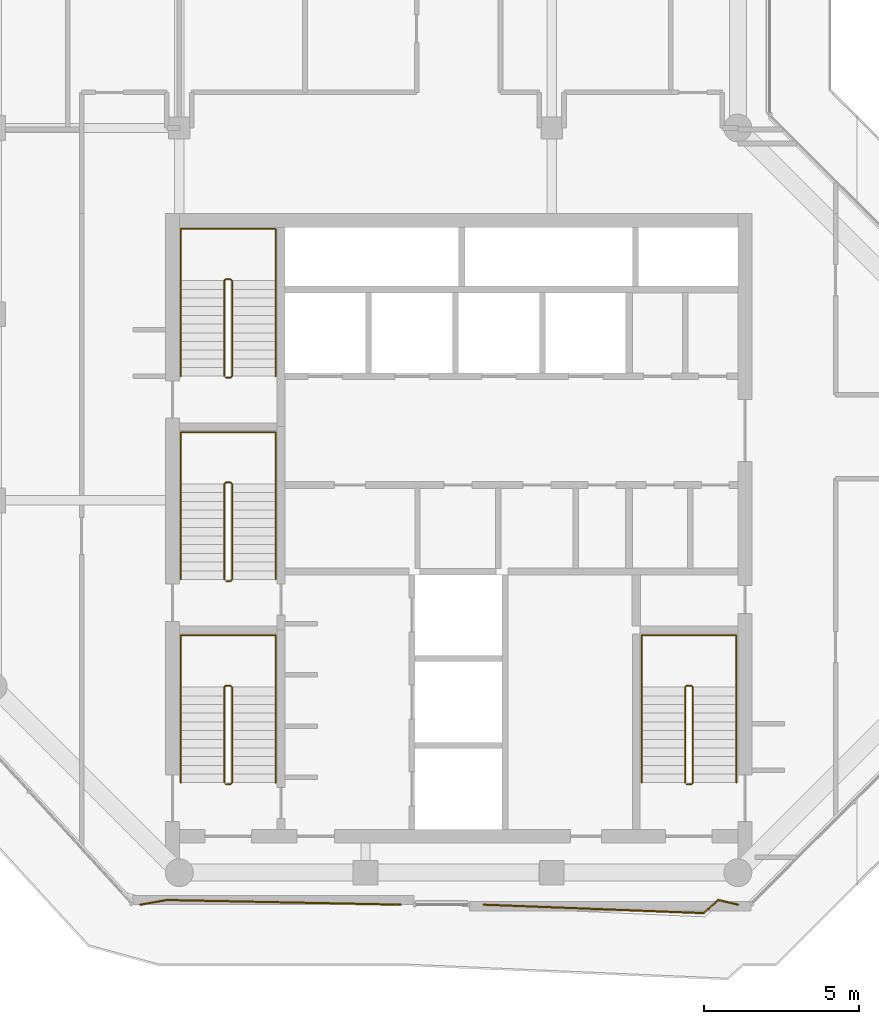
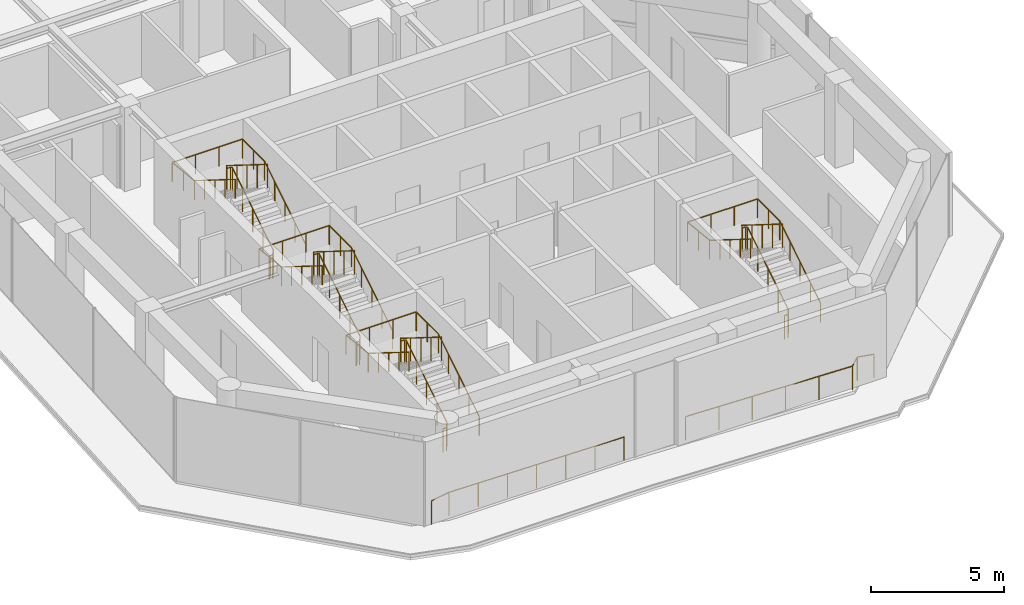
# One storey, part 19 of 20: 10 railings.
"""IFC4 building model written with IfcOpenShell, lengths in metres."""

from ifc_helpers import new_model, si_unit, direction, frame, origin, origin_2d, place, context, subcontext, project, spatial, circle, extrude, material, type_object, element, save


model = new_model("IFC4")

# Units and contexts
model_context = context("Model", 3, precision=1e-05, world=origin(), true_north=direction((0.0, 1.0)))
body_context = subcontext(model_context, "Body", "Model", "MODEL_VIEW")
ifc_project = project(units=[si_unit("LENGTHUNIT", "METRE"), si_unit("AREAUNIT", "SQUARE_METRE"), si_unit("VOLUMEUNIT", "CUBIC_METRE"), si_unit("PLANEANGLEUNIT", "RADIAN"), si_unit("MASSUNIT", "GRAM", prefix="KILO")], contexts=[model_context])

# Site, building, storey
site_placement = place(None, origin())
site = spatial("IfcSite", under=ifc_project, at=site_placement, CompositionType="ELEMENT")
building_placement = place(site_placement, origin())
building = spatial("IfcBuilding", under=site, at=building_placement, Name="Welwitschia Terrace Campus", CompositionType="ELEMENT")
storey_placement = place(building_placement, frame((0.0, 0.0, 239.0)))
storey = spatial("IfcBuildingStorey", under=building, at=storey_placement, Name="L53", CompositionType="ELEMENT", Elevation=239.0)

# Railings
ifc_material_1 = material(Name="Stainless steel grade 316", Category="steel")
railing_type_1 = type_object("IfcRailingType", Name="Guard 1100", PredefinedType="GUARDRAIL", material=ifc_material_1)
railing_1_placement = place(storey_placement, frame((13.1337890625, 2.969970703125, 0.0)))
element("IfcRailing", 1, at=railing_1_placement, inside=storey, type_object=railing_type_1, Name="Guard floor edge L53.0", PredefinedType="GUARDRAIL", context=body_context, shape_type="SweptSolid", body=[
    extrude(circle(Radius=0.02392578125, at=origin_2d()), frame((0.0, 0.0, 1.076171875), z_axis=(-0.999801353701, 0.019931210131, 0.0), x_axis=(-0.019931210131, -0.999801353701, 0.0)), (0.0, 0.0, 1.0), 7.533203125),
    extrude(circle(Radius=0.02392578125, at=origin_2d()), frame((-7.53173828125, 0.150146484375, 1.076171875), z_axis=(-0.984961218681, -0.172775570305, 0.0), x_axis=(0.172775570305, -0.984961218681, 0.0)), (0.0, 0.0, 1.0), 0.869140625),
    extrude(circle(Radius=0.02099609375, at=origin_2d()), origin(), (0.0, 0.0, 1.0), 1.052001953125),
    extrude(circle(Radius=0.02099609375, at=origin_2d()), frame((-1.25537109375, 0.02490234375, 0.0)), (0.0, 0.0, 1.0), 1.052001953125),
    extrude(circle(Radius=0.02099609375, at=origin_2d()), frame((-2.510498046875, 0.050048828125, 0.0)), (0.0, 0.0, 1.0), 1.052001953125),
    extrude(circle(Radius=0.02099609375, at=origin_2d()), frame((-3.765869140625, 0.0751953125, 0.0)), (0.0, 0.0, 1.0), 1.052001953125),
    extrude(circle(Radius=0.02099609375, at=origin_2d()), frame((-5.021240234375, 0.10009765625, 0.0)), (0.0, 0.0, 1.0), 1.052001953125),
    extrude(circle(Radius=0.02099609375, at=origin_2d()), frame((-6.2763671875, 0.125, 0.0)), (0.0, 0.0, 1.0), 1.052001953125),
    extrude(circle(Radius=0.02099609375, at=origin_2d()), frame((-7.53173828125, 0.150146484375, 0.0)), (0.0, 0.0, 1.0), 1.052001953125),
    extrude(circle(Radius=0.02099609375, at=origin_2d()), frame((-8.3876953125, 0.0, 0.0)), (0.0, 0.0, 1.0), 1.052001953125),
])
railing_2_placement = place(storey_placement, frame((24.0029296875, 2.969970703125, 0.0)))
element("IfcRailing", 2, at=railing_2_placement, inside=storey, type_object=railing_type_1, Name="Guard floor edge L53.2", PredefinedType="GUARDRAIL", context=body_context, shape_type="SweptSolid", body=[
    extrude(circle(Radius=0.02392578125, at=origin_2d()), frame((0.0, 0.0, 1.076171875), z_axis=(-0.97351944484, 0.228604222442, 0.0), x_axis=(-0.228604222442, -0.97351944484, 0.0)), (0.0, 0.0, 1.0), 0.65673828125),
    extrude(circle(Radius=0.02392578125, at=origin_2d()), frame((-0.639404296875, 0.150146484375, 1.076171875), z_axis=(-0.737154140201, -0.675724628517, 0.0), x_axis=(0.675724628517, -0.737154140201, 0.0)), (0.0, 0.0, 1.0), 0.6240234375),
    extrude(circle(Radius=0.02392578125, at=origin_2d()), frame((-1.099365234375, -0.271484375, 1.076171875), z_axis=(-0.999269325943, 0.038220599541, 0.0), x_axis=(-0.038220599541, -0.999269325943, 0.0)), (0.0, 0.0, 1.0), 7.10302734375),
    extrude(circle(Radius=0.02099609375, at=origin_2d()), origin(), (0.0, 0.0, 1.0), 1.052001953125),
    extrude(circle(Radius=0.02099609375, at=origin_2d()), frame((-0.639404296875, 0.150146484375, 0.0)), (0.0, 0.0, 1.0), 1.052001953125),
    extrude(circle(Radius=0.02099609375, at=origin_2d()), frame((-1.099365234375, -0.271484375, 0.0)), (0.0, 0.0, 1.0), 1.052001953125),
    extrude(circle(Radius=0.02099609375, at=origin_2d()), frame((-2.51904296875, -0.21728515625, 0.0)), (0.0, 0.0, 1.0), 1.052001953125),
    extrude(circle(Radius=0.02099609375, at=origin_2d()), frame((-3.9384765625, -0.162841796875, 0.0)), (0.0, 0.0, 1.0), 1.052001953125),
    extrude(circle(Radius=0.02099609375, at=origin_2d()), frame((-5.358154296875, -0.108642578125, 0.0)), (0.0, 0.0, 1.0), 1.052001953125),
    extrude(circle(Radius=0.02099609375, at=origin_2d()), frame((-6.777587890625, -0.05419921875, 0.0)), (0.0, 0.0, 1.0), 1.052001953125),
    extrude(circle(Radius=0.02099609375, at=origin_2d()), frame((-8.197265625, 0.0, 0.0)), (0.0, 0.0, 1.0), 1.052001953125),
])
ifc_material_2 = material(Name="Steel S355", Category="steel")
railing_type_2 = type_object("IfcRailingType", Name="Stair guard 1100", PredefinedType="GUARDRAIL", material=ifc_material_2)
railing_3_placement = place(storey_placement, frame((7.5, 6.85009765625, 0.0)))
element("IfcRailing", 3, at=railing_3_placement, inside=storey, type_object=railing_type_2, Name="L53 S1 stair guard", PredefinedType="GUARDRAIL", context=body_context, shape_type="SweptSolid", body=[
    extrude(circle(Radius=0.02392578125, at=origin_2d()), frame((0.0, 0.0, 1.076171875), z_axis=(1.0, 0.0, 0.0), x_axis=(0.0, 1.0, 0.0)), (0.0, 0.0, 1.0), 0.14990234375),
    extrude(circle(Radius=0.02392578125, at=origin_2d()), frame((0.14990234375, 0.0, 1.076171875), z_axis=(0.265155923931, 0.263862480399, 0.927399011991), x_axis=(-0.705375805398, 0.708833529934, 0.0)), (0.0, 0.0, 1.0), 0.188720703125),
    extrude(circle(Radius=0.02392578125, at=origin_2d()), frame((0.199951171875, 0.0498046875, 1.2509765625), z_axis=(0.0, 0.847998304005, 0.529998940003), x_axis=(-1.0, 0.0, 0.0)), (0.0, 0.0, 1.0), 3.632080078125),
    extrude(circle(Radius=0.02392578125, at=origin_2d()), frame((0.199951171875, 3.1298828125, 3.17626953125), z_axis=(-0.707106781187, 0.707106781187, 0.0), x_axis=(-0.707106781187, -0.707106781187, 0.0)), (0.0, 0.0, 1.0), 0.07080078125),
    extrude(circle(Radius=0.02392578125, at=origin_2d()), frame((0.14990234375, 3.179931640625, 3.17626953125), z_axis=(-1.0, 0.0, 0.0), x_axis=(0.0, -1.0, 0.0)), (0.0, 0.0, 1.0), 0.14990234375),
    extrude(circle(Radius=0.02392578125, at=origin_2d()), frame((0.0, 3.179931640625, 3.17626953125), z_axis=(-0.265383341853, -0.265383341853, 0.926899867156), x_axis=(0.707106781187, -0.707106781187, 0.0)), (0.0, 0.0, 1.0), 0.1884765625),
    extrude(circle(Radius=0.02392578125, at=origin_2d()), frame((-0.050048828125, 3.1298828125, 3.35107421875), z_axis=(0.0, -0.847998304005, 0.529998940003), x_axis=(1.0, 0.0, 0.0)), (0.0, 0.0, 1.0), 3.632080078125),
    extrude(circle(Radius=0.02099609375, at=origin_2d()), origin(), (0.0, 0.0, 1.0), 1.052001953125),
    extrude(circle(Radius=0.02099609375, at=origin_2d()), frame((0.14990234375, 0.0, 0.0)), (0.0, 0.0, 1.0), 1.052001953125),
    extrude(circle(Radius=0.02099609375, at=origin_2d()), frame((0.199951171875, 0.0498046875, 0.175048828125)), (0.0, 0.0, 1.0), 1.052001953125),
    extrude(circle(Radius=0.02099609375, at=origin_2d()), frame((0.199951171875, 0.81982421875, 0.65625)), (0.0, 0.0, 1.0), 1.052001953125),
    extrude(circle(Radius=0.02099609375, at=origin_2d()), frame((0.199951171875, 1.58984375, 1.1376953125)), (0.0, 0.0, 1.0), 1.052001953125),
    extrude(circle(Radius=0.02099609375, at=origin_2d()), frame((0.199951171875, 2.35986328125, 1.618896484375)), (0.0, 0.0, 1.0), 1.052001953125),
    extrude(circle(Radius=0.02099609375, at=origin_2d()), frame((0.199951171875, 3.1298828125, 2.10009765625)), (0.0, 0.0, 1.0), 1.052001953125),
    extrude(circle(Radius=0.02099609375, at=origin_2d()), frame((0.14990234375, 3.179931640625, 2.10009765625)), (0.0, 0.0, 1.0), 1.052001953125),
    extrude(circle(Radius=0.02099609375, at=origin_2d()), frame((0.0, 3.179931640625, 2.10009765625)), (0.0, 0.0, 1.0), 1.052001953125),
    extrude(circle(Radius=0.02099609375, at=origin_2d()), frame((-0.050048828125, 3.1298828125, 2.27490234375)), (0.0, 0.0, 1.0), 1.052001953125),
    extrude(circle(Radius=0.02099609375, at=origin_2d()), frame((-0.050048828125, 2.35986328125, 2.756103515625)), (0.0, 0.0, 1.0), 1.052001953125),
    extrude(circle(Radius=0.02099609375, at=origin_2d()), frame((-0.050048828125, 1.58984375, 3.2373046875)), (0.0, 0.0, 1.0), 1.052001953125),
    extrude(circle(Radius=0.02099609375, at=origin_2d()), frame((-0.050048828125, 0.81982421875, 3.71875)), (0.0, 0.0, 1.0), 1.052001953125),
    extrude(circle(Radius=0.02099609375, at=origin_2d()), frame((-0.050048828125, 0.0498046875, 4.199951171875)), (0.0, 0.0, 1.0), 1.052001953125),
])
railing_4_placement = place(storey_placement, frame((7.5, 13.39990234375, 0.0)))
element("IfcRailing", 4, at=railing_4_placement, inside=storey, type_object=railing_type_2, Name="L53 S3 stair guard", PredefinedType="GUARDRAIL", context=body_context, shape_type="SweptSolid", body=[
    extrude(circle(Radius=0.02392578125, at=origin_2d()), frame((0.0, 0.0, 1.076171875), z_axis=(1.0, 0.0, 0.0), x_axis=(0.0, 1.0, 0.0)), (0.0, 0.0, 1.0), 0.14990234375),
    extrude(circle(Radius=0.02392578125, at=origin_2d()), frame((0.14990234375, 0.0, 1.076171875), z_axis=(0.265065253269, 0.265065253269, 0.927081885822), x_axis=(-0.707106781187, 0.707106781187, 0.0)), (0.0, 0.0, 1.0), 0.188720703125),
    extrude(circle(Radius=0.02392578125, at=origin_2d()), frame((0.199951171875, 0.050048828125, 1.2509765625), z_axis=(0.0, 0.847998304005, 0.529998940003), x_axis=(-1.0, 0.0, 0.0)), (0.0, 0.0, 1.0), 3.632080078125),
    extrude(circle(Radius=0.02392578125, at=origin_2d()), frame((0.199951171875, 3.130126953125, 3.17626953125), z_axis=(-0.707106781187, 0.707106781187, 0.0), x_axis=(-0.707106781187, -0.707106781187, 0.0)), (0.0, 0.0, 1.0), 0.07080078125),
    extrude(circle(Radius=0.02392578125, at=origin_2d()), frame((0.14990234375, 3.18017578125, 3.17626953125), z_axis=(-1.0, 0.0, 0.0), x_axis=(0.0, -1.0, 0.0)), (0.0, 0.0, 1.0), 0.14990234375),
    extrude(circle(Radius=0.02392578125, at=origin_2d()), frame((0.0, 3.18017578125, 3.17626953125), z_axis=(-0.265383341853, -0.265383341853, 0.926899867156), x_axis=(0.707106781187, -0.707106781187, 0.0)), (0.0, 0.0, 1.0), 0.1884765625),
    extrude(circle(Radius=0.02392578125, at=origin_2d()), frame((-0.050048828125, 3.130126953125, 3.35107421875), z_axis=(0.0, -0.847998304005, 0.529998940003), x_axis=(1.0, 0.0, 0.0)), (0.0, 0.0, 1.0), 3.632080078125),
    extrude(circle(Radius=0.02099609375, at=origin_2d()), origin(), (0.0, 0.0, 1.0), 1.052001953125),
    extrude(circle(Radius=0.02099609375, at=origin_2d()), frame((0.14990234375, 0.0, 0.0)), (0.0, 0.0, 1.0), 1.052001953125),
    extrude(circle(Radius=0.02099609375, at=origin_2d()), frame((0.199951171875, 0.050048828125, 0.175048828125)), (0.0, 0.0, 1.0), 1.052001953125),
    extrude(circle(Radius=0.02099609375, at=origin_2d()), frame((0.199951171875, 0.820068359375, 0.65625)), (0.0, 0.0, 1.0), 1.052001953125),
    extrude(circle(Radius=0.02099609375, at=origin_2d()), frame((0.199951171875, 1.590087890625, 1.1376953125)), (0.0, 0.0, 1.0), 1.052001953125),
    extrude(circle(Radius=0.02099609375, at=origin_2d()), frame((0.199951171875, 2.360107421875, 1.618896484375)), (0.0, 0.0, 1.0), 1.052001953125),
    extrude(circle(Radius=0.02099609375, at=origin_2d()), frame((0.199951171875, 3.130126953125, 2.10009765625)), (0.0, 0.0, 1.0), 1.052001953125),
    extrude(circle(Radius=0.02099609375, at=origin_2d()), frame((0.14990234375, 3.18017578125, 2.10009765625)), (0.0, 0.0, 1.0), 1.052001953125),
    extrude(circle(Radius=0.02099609375, at=origin_2d()), frame((0.0, 3.18017578125, 2.10009765625)), (0.0, 0.0, 1.0), 1.052001953125),
    extrude(circle(Radius=0.02099609375, at=origin_2d()), frame((-0.050048828125, 3.130126953125, 2.27490234375)), (0.0, 0.0, 1.0), 1.052001953125),
    extrude(circle(Radius=0.02099609375, at=origin_2d()), frame((-0.050048828125, 2.360107421875, 2.756103515625)), (0.0, 0.0, 1.0), 1.052001953125),
    extrude(circle(Radius=0.02099609375, at=origin_2d()), frame((-0.050048828125, 1.590087890625, 3.2373046875)), (0.0, 0.0, 1.0), 1.052001953125),
    extrude(circle(Radius=0.02099609375, at=origin_2d()), frame((-0.050048828125, 0.820068359375, 3.71875)), (0.0, 0.0, 1.0), 1.052001953125),
    extrude(circle(Radius=0.02099609375, at=origin_2d()), frame((-0.050048828125, 0.050048828125, 4.199951171875)), (0.0, 0.0, 1.0), 1.052001953125),
])
railing_5_placement = place(storey_placement, frame((7.5, 19.949951171875, 0.0)))
element("IfcRailing", 5, at=railing_5_placement, inside=storey, type_object=railing_type_2, Name="L53 S4 stair guard", PredefinedType="GUARDRAIL", context=body_context, shape_type="SweptSolid", body=[
    extrude(circle(Radius=0.02392578125, at=origin_2d()), frame((0.0, 0.0, 1.076171875), z_axis=(1.0, 0.0, 0.0), x_axis=(0.0, 1.0, 0.0)), (0.0, 0.0, 1.0), 0.14990234375),
    extrude(circle(Radius=0.02392578125, at=origin_2d()), frame((0.14990234375, 0.0, 1.076171875), z_axis=(0.265065253269, 0.265065253269, 0.927081885822), x_axis=(-0.707106781187, 0.707106781187, 0.0)), (0.0, 0.0, 1.0), 0.188720703125),
    extrude(circle(Radius=0.02392578125, at=origin_2d()), frame((0.199951171875, 0.050048828125, 1.2509765625), z_axis=(0.0, 0.847998304005, 0.529998940003), x_axis=(-1.0, 0.0, 0.0)), (0.0, 0.0, 1.0), 3.632080078125),
    extrude(circle(Radius=0.02392578125, at=origin_2d()), frame((0.199951171875, 3.130126953125, 3.17626953125), z_axis=(-0.708833529934, 0.705375805398, 0.0), x_axis=(-0.705375805398, -0.708833529934, 0.0)), (0.0, 0.0, 1.0), 0.070556640625),
    extrude(circle(Radius=0.02392578125, at=origin_2d()), frame((0.14990234375, 3.179931640625, 3.17626953125), z_axis=(-1.0, 0.0, 0.0), x_axis=(0.0, -1.0, 0.0)), (0.0, 0.0, 1.0), 0.14990234375),
    extrude(circle(Radius=0.02392578125, at=origin_2d()), frame((0.0, 3.179931640625, 3.17626953125), z_axis=(-0.265474339444, -0.264179342666, 0.927217692888), x_axis=(0.705375805398, -0.708833529934, 0.0)), (0.0, 0.0, 1.0), 0.1884765625),
    extrude(circle(Radius=0.02392578125, at=origin_2d()), frame((-0.050048828125, 3.130126953125, 3.35107421875), z_axis=(0.0, -0.847998304005, 0.529998940003), x_axis=(1.0, 0.0, 0.0)), (0.0, 0.0, 1.0), 3.632080078125),
    extrude(circle(Radius=0.02099609375, at=origin_2d()), origin(), (0.0, 0.0, 1.0), 1.052001953125),
    extrude(circle(Radius=0.02099609375, at=origin_2d()), frame((0.14990234375, 0.0, 0.0)), (0.0, 0.0, 1.0), 1.052001953125),
    extrude(circle(Radius=0.02099609375, at=origin_2d()), frame((0.199951171875, 0.050048828125, 0.175048828125)), (0.0, 0.0, 1.0), 1.052001953125),
    extrude(circle(Radius=0.02099609375, at=origin_2d()), frame((0.199951171875, 0.820068359375, 0.65625)), (0.0, 0.0, 1.0), 1.052001953125),
    extrude(circle(Radius=0.02099609375, at=origin_2d()), frame((0.199951171875, 1.590087890625, 1.1376953125)), (0.0, 0.0, 1.0), 1.052001953125),
    extrude(circle(Radius=0.02099609375, at=origin_2d()), frame((0.199951171875, 2.360107421875, 1.618896484375)), (0.0, 0.0, 1.0), 1.052001953125),
    extrude(circle(Radius=0.02099609375, at=origin_2d()), frame((0.199951171875, 3.130126953125, 2.10009765625)), (0.0, 0.0, 1.0), 1.052001953125),
    extrude(circle(Radius=0.02099609375, at=origin_2d()), frame((0.14990234375, 3.179931640625, 2.10009765625)), (0.0, 0.0, 1.0), 1.052001953125),
    extrude(circle(Radius=0.02099609375, at=origin_2d()), frame((0.0, 3.179931640625, 2.10009765625)), (0.0, 0.0, 1.0), 1.052001953125),
    extrude(circle(Radius=0.02099609375, at=origin_2d()), frame((-0.050048828125, 3.130126953125, 2.27490234375)), (0.0, 0.0, 1.0), 1.052001953125),
    extrude(circle(Radius=0.02099609375, at=origin_2d()), frame((-0.050048828125, 2.360107421875, 2.756103515625)), (0.0, 0.0, 1.0), 1.052001953125),
    extrude(circle(Radius=0.02099609375, at=origin_2d()), frame((-0.050048828125, 1.590087890625, 3.2373046875)), (0.0, 0.0, 1.0), 1.052001953125),
    extrude(circle(Radius=0.02099609375, at=origin_2d()), frame((-0.050048828125, 0.820068359375, 3.71875)), (0.0, 0.0, 1.0), 1.052001953125),
    extrude(circle(Radius=0.02099609375, at=origin_2d()), frame((-0.050048828125, 0.050048828125, 4.199951171875)), (0.0, 0.0, 1.0), 1.052001953125),
])
railing_6_placement = place(storey_placement, frame((22.35009765625, 6.85009765625, 0.0)))
element("IfcRailing", 6, at=railing_6_placement, inside=storey, type_object=railing_type_2, Name="L53 S2 stair guard", PredefinedType="GUARDRAIL", context=body_context, shape_type="SweptSolid", body=[
    extrude(circle(Radius=0.02392578125, at=origin_2d()), frame((0.0, 0.0, 1.076171875), z_axis=(1.0, 0.0, 0.0), x_axis=(0.0, 1.0, 0.0)), (0.0, 0.0, 1.0), 0.14990234375),
    extrude(circle(Radius=0.02392578125, at=origin_2d()), frame((0.14990234375, 0.0, 1.076171875), z_axis=(0.265155923931, 0.263862480399, 0.927399011991), x_axis=(-0.705375805398, 0.708833529934, 0.0)), (0.0, 0.0, 1.0), 0.188720703125),
    extrude(circle(Radius=0.02392578125, at=origin_2d()), frame((0.199951171875, 0.0498046875, 1.2509765625), z_axis=(0.0, 0.847998304005, 0.529998940003), x_axis=(-1.0, 0.0, 0.0)), (0.0, 0.0, 1.0), 3.632080078125),
    extrude(circle(Radius=0.02392578125, at=origin_2d()), frame((0.199951171875, 3.1298828125, 3.17626953125), z_axis=(-0.707106781187, 0.707106781187, 0.0), x_axis=(-0.707106781187, -0.707106781187, 0.0)), (0.0, 0.0, 1.0), 0.07080078125),
    extrude(circle(Radius=0.02392578125, at=origin_2d()), frame((0.14990234375, 3.179931640625, 3.17626953125), z_axis=(-1.0, 0.0, 0.0), x_axis=(0.0, -1.0, 0.0)), (0.0, 0.0, 1.0), 0.14990234375),
    extrude(circle(Radius=0.02392578125, at=origin_2d()), frame((0.0, 3.179931640625, 3.17626953125), z_axis=(-0.265383341853, -0.265383341853, 0.926899867156), x_axis=(0.707106781187, -0.707106781187, 0.0)), (0.0, 0.0, 1.0), 0.1884765625),
    extrude(circle(Radius=0.02392578125, at=origin_2d()), frame((-0.050048828125, 3.1298828125, 3.35107421875), z_axis=(0.0, -0.847998304005, 0.529998940003), x_axis=(1.0, 0.0, 0.0)), (0.0, 0.0, 1.0), 3.632080078125),
    extrude(circle(Radius=0.02099609375, at=origin_2d()), origin(), (0.0, 0.0, 1.0), 1.052001953125),
    extrude(circle(Radius=0.02099609375, at=origin_2d()), frame((0.14990234375, 0.0, 0.0)), (0.0, 0.0, 1.0), 1.052001953125),
    extrude(circle(Radius=0.02099609375, at=origin_2d()), frame((0.199951171875, 0.0498046875, 0.175048828125)), (0.0, 0.0, 1.0), 1.052001953125),
    extrude(circle(Radius=0.02099609375, at=origin_2d()), frame((0.199951171875, 0.81982421875, 0.65625)), (0.0, 0.0, 1.0), 1.052001953125),
    extrude(circle(Radius=0.02099609375, at=origin_2d()), frame((0.199951171875, 1.58984375, 1.1376953125)), (0.0, 0.0, 1.0), 1.052001953125),
    extrude(circle(Radius=0.02099609375, at=origin_2d()), frame((0.199951171875, 2.35986328125, 1.618896484375)), (0.0, 0.0, 1.0), 1.052001953125),
    extrude(circle(Radius=0.02099609375, at=origin_2d()), frame((0.199951171875, 3.1298828125, 2.10009765625)), (0.0, 0.0, 1.0), 1.052001953125),
    extrude(circle(Radius=0.02099609375, at=origin_2d()), frame((0.14990234375, 3.179931640625, 2.10009765625)), (0.0, 0.0, 1.0), 1.052001953125),
    extrude(circle(Radius=0.02099609375, at=origin_2d()), frame((0.0, 3.179931640625, 2.10009765625)), (0.0, 0.0, 1.0), 1.052001953125),
    extrude(circle(Radius=0.02099609375, at=origin_2d()), frame((-0.050048828125, 3.1298828125, 2.27490234375)), (0.0, 0.0, 1.0), 1.052001953125),
    extrude(circle(Radius=0.02099609375, at=origin_2d()), frame((-0.050048828125, 2.35986328125, 2.756103515625)), (0.0, 0.0, 1.0), 1.052001953125),
    extrude(circle(Radius=0.02099609375, at=origin_2d()), frame((-0.050048828125, 1.58984375, 3.2373046875)), (0.0, 0.0, 1.0), 1.052001953125),
    extrude(circle(Radius=0.02099609375, at=origin_2d()), frame((-0.050048828125, 0.81982421875, 3.71875)), (0.0, 0.0, 1.0), 1.052001953125),
    extrude(circle(Radius=0.02099609375, at=origin_2d()), frame((-0.050048828125, 0.0498046875, 4.199951171875)), (0.0, 0.0, 1.0), 1.052001953125),
])
ifc_material_3 = material(Name="Steel S355", Category="steel")
railing_type_3 = type_object("IfcRailingType", Name="Stair handrail 900", PredefinedType="HANDRAIL", material=ifc_material_3)
railing_7_placement = place(storey_placement, frame((9.10009765625, 6.89990234375, 0.175048828125)))
element("IfcRailing", 7, at=railing_7_placement, inside=storey, type_object=railing_type_3, Name="L53 S1 stair handrail", PredefinedType="HANDRAIL", context=body_context, shape_type="SweptSolid", body=[
    extrude(circle(Radius=0.02392578125, at=origin_2d()), frame((0.0, 0.0, 0.8759765625), z_axis=(0.0, 0.847998304005, 0.529998940003), x_axis=(-1.0, 0.0, 0.0)), (0.0, 0.0, 1.0), 3.632080078125),
    extrude(circle(Radius=0.02392578125, at=origin_2d()), frame((0.0, 3.080078125, 2.80078125), z_axis=(0.0, 1.0, 0.0), x_axis=(-1.0, 0.0, 0.0)), (0.0, 0.0, 1.0), 1.669921875),
    extrude(circle(Radius=0.02392578125, at=origin_2d()), frame((0.0, 4.75, 2.80078125), z_axis=(-1.0, 0.0, 0.0), x_axis=(0.0, -1.0, 0.0)), (0.0, 0.0, 1.0), 3.050048828125),
    extrude(circle(Radius=0.02392578125, at=origin_2d()), frame((-3.050048828125, 4.75, 2.80078125), z_axis=(0.0, -0.994565838508, 0.104109523446), x_axis=(1.0, 0.0, 0.0)), (0.0, 0.0, 1.0), 1.678955078125),
    extrude(circle(Radius=0.02392578125, at=origin_2d()), frame((-3.050048828125, 3.080078125, 2.9755859375), z_axis=(0.0, -0.847998304005, 0.529998940003), x_axis=(1.0, 0.0, 0.0)), (0.0, 0.0, 1.0), 3.632080078125),
    extrude(circle(Radius=0.02099609375, at=origin_2d()), origin(), (0.0, 0.0, 1.0), 0.851806640625),
    extrude(circle(Radius=0.02099609375, at=origin_2d()), frame((0.0, 0.77001953125, 0.481201171875)), (0.0, 0.0, 1.0), 0.851806640625),
    extrude(circle(Radius=0.02099609375, at=origin_2d()), frame((0.0, 1.5400390625, 0.96240234375)), (0.0, 0.0, 1.0), 0.851806640625),
    extrude(circle(Radius=0.02099609375, at=origin_2d()), frame((0.0, 2.31005859375, 1.44384765625)), (0.0, 0.0, 1.0), 0.851806640625),
    extrude(circle(Radius=0.02099609375, at=origin_2d()), frame((0.0, 3.080078125, 1.925048828125)), (0.0, 0.0, 1.0), 0.851806640625),
    extrude(circle(Radius=0.02099609375, at=origin_2d()), frame((0.0, 3.9150390625, 1.925048828125)), (0.0, 0.0, 1.0), 0.851806640625),
    extrude(circle(Radius=0.02099609375, at=origin_2d()), frame((0.0, 4.75, 1.925048828125)), (0.0, 0.0, 1.0), 0.851806640625),
    extrude(circle(Radius=0.02099609375, at=origin_2d()), frame((-1.0166015625, 4.75, 1.925048828125)), (0.0, 0.0, 1.0), 0.851806640625),
    extrude(circle(Radius=0.02099609375, at=origin_2d()), frame((-2.033447265625, 4.75, 1.925048828125)), (0.0, 0.0, 1.0), 0.851806640625),
    extrude(circle(Radius=0.02099609375, at=origin_2d()), frame((-3.050048828125, 4.75, 1.925048828125)), (0.0, 0.0, 1.0), 0.851806640625),
    extrude(circle(Radius=0.02099609375, at=origin_2d()), frame((-3.050048828125, 3.9150390625, 2.012451171875)), (0.0, 0.0, 1.0), 0.851806640625),
    extrude(circle(Radius=0.02099609375, at=origin_2d()), frame((-3.050048828125, 3.080078125, 2.099853515625)), (0.0, 0.0, 1.0), 0.851806640625),
    extrude(circle(Radius=0.02099609375, at=origin_2d()), frame((-3.050048828125, 2.31005859375, 2.5810546875)), (0.0, 0.0, 1.0), 0.851806640625),
    extrude(circle(Radius=0.02099609375, at=origin_2d()), frame((-3.050048828125, 1.5400390625, 3.0625)), (0.0, 0.0, 1.0), 0.851806640625),
    extrude(circle(Radius=0.02099609375, at=origin_2d()), frame((-3.050048828125, 0.77001953125, 3.543701171875)), (0.0, 0.0, 1.0), 0.851806640625),
    extrude(circle(Radius=0.02099609375, at=origin_2d()), frame((-3.050048828125, 0.0, 4.02490234375)), (0.0, 0.0, 1.0), 0.851806640625),
])
railing_8_placement = place(storey_placement, frame((9.10009765625, 13.449951171875, 0.175048828125)))
element("IfcRailing", 8, at=railing_8_placement, inside=storey, type_object=railing_type_3, Name="L53 S3 stair handrail", PredefinedType="HANDRAIL", context=body_context, shape_type="SweptSolid", body=[
    extrude(circle(Radius=0.02392578125, at=origin_2d()), frame((0.0, 0.0, 0.8759765625), z_axis=(0.0, 0.847998304005, 0.529998940003), x_axis=(-1.0, 0.0, 0.0)), (0.0, 0.0, 1.0), 3.632080078125),
    extrude(circle(Radius=0.02392578125, at=origin_2d()), frame((0.0, 3.080078125, 2.80078125), z_axis=(0.0, 1.0, 0.0), x_axis=(-1.0, 0.0, 0.0)), (0.0, 0.0, 1.0), 1.669921875),
    extrude(circle(Radius=0.02392578125, at=origin_2d()), frame((0.0, 4.75, 2.80078125), z_axis=(-1.0, 0.0, 0.0), x_axis=(0.0, -1.0, 0.0)), (0.0, 0.0, 1.0), 3.050048828125),
    extrude(circle(Radius=0.02392578125, at=origin_2d()), frame((-3.050048828125, 4.75, 2.80078125), z_axis=(0.0, -0.994565838508, 0.104109523446), x_axis=(1.0, 0.0, 0.0)), (0.0, 0.0, 1.0), 1.678955078125),
    extrude(circle(Radius=0.02392578125, at=origin_2d()), frame((-3.050048828125, 3.080078125, 2.9755859375), z_axis=(0.0, -0.847998304005, 0.529998940003), x_axis=(1.0, 0.0, 0.0)), (0.0, 0.0, 1.0), 3.632080078125),
    extrude(circle(Radius=0.02099609375, at=origin_2d()), origin(), (0.0, 0.0, 1.0), 0.851806640625),
    extrude(circle(Radius=0.02099609375, at=origin_2d()), frame((0.0, 0.77001953125, 0.481201171875)), (0.0, 0.0, 1.0), 0.851806640625),
    extrude(circle(Radius=0.02099609375, at=origin_2d()), frame((0.0, 1.5400390625, 0.96240234375)), (0.0, 0.0, 1.0), 0.851806640625),
    extrude(circle(Radius=0.02099609375, at=origin_2d()), frame((0.0, 2.31005859375, 1.44384765625)), (0.0, 0.0, 1.0), 0.851806640625),
    extrude(circle(Radius=0.02099609375, at=origin_2d()), frame((0.0, 3.080078125, 1.925048828125)), (0.0, 0.0, 1.0), 0.851806640625),
    extrude(circle(Radius=0.02099609375, at=origin_2d()), frame((0.0, 3.9150390625, 1.925048828125)), (0.0, 0.0, 1.0), 0.851806640625),
    extrude(circle(Radius=0.02099609375, at=origin_2d()), frame((0.0, 4.75, 1.925048828125)), (0.0, 0.0, 1.0), 0.851806640625),
    extrude(circle(Radius=0.02099609375, at=origin_2d()), frame((-1.0166015625, 4.75, 1.925048828125)), (0.0, 0.0, 1.0), 0.851806640625),
    extrude(circle(Radius=0.02099609375, at=origin_2d()), frame((-2.033447265625, 4.75, 1.925048828125)), (0.0, 0.0, 1.0), 0.851806640625),
    extrude(circle(Radius=0.02099609375, at=origin_2d()), frame((-3.050048828125, 4.75, 1.925048828125)), (0.0, 0.0, 1.0), 0.851806640625),
    extrude(circle(Radius=0.02099609375, at=origin_2d()), frame((-3.050048828125, 3.9150390625, 2.012451171875)), (0.0, 0.0, 1.0), 0.851806640625),
    extrude(circle(Radius=0.02099609375, at=origin_2d()), frame((-3.050048828125, 3.080078125, 2.099853515625)), (0.0, 0.0, 1.0), 0.851806640625),
    extrude(circle(Radius=0.02099609375, at=origin_2d()), frame((-3.050048828125, 2.31005859375, 2.5810546875)), (0.0, 0.0, 1.0), 0.851806640625),
    extrude(circle(Radius=0.02099609375, at=origin_2d()), frame((-3.050048828125, 1.5400390625, 3.0625)), (0.0, 0.0, 1.0), 0.851806640625),
    extrude(circle(Radius=0.02099609375, at=origin_2d()), frame((-3.050048828125, 0.77001953125, 3.543701171875)), (0.0, 0.0, 1.0), 0.851806640625),
    extrude(circle(Radius=0.02099609375, at=origin_2d()), frame((-3.050048828125, 0.0, 4.02490234375)), (0.0, 0.0, 1.0), 0.851806640625),
])
railing_9_placement = place(storey_placement, frame((9.10009765625, 20.0, 0.175048828125)))
element("IfcRailing", 9, at=railing_9_placement, inside=storey, type_object=railing_type_3, Name="L53 S4 stair handrail", PredefinedType="HANDRAIL", context=body_context, shape_type="SweptSolid", body=[
    extrude(circle(Radius=0.02392578125, at=origin_2d()), frame((0.0, 0.0, 0.8759765625), z_axis=(0.0, 0.847998304005, 0.529998940003), x_axis=(-1.0, 0.0, 0.0)), (0.0, 0.0, 1.0), 3.632080078125),
    extrude(circle(Radius=0.02392578125, at=origin_2d()), frame((0.0, 3.080078125, 2.80078125), z_axis=(0.0, 1.0, 0.0), x_axis=(-1.0, 0.0, 0.0)), (0.0, 0.0, 1.0), 1.669921875),
    extrude(circle(Radius=0.02392578125, at=origin_2d()), frame((0.0, 4.75, 2.80078125), z_axis=(-1.0, 0.0, 0.0), x_axis=(0.0, -1.0, 0.0)), (0.0, 0.0, 1.0), 3.050048828125),
    extrude(circle(Radius=0.02392578125, at=origin_2d()), frame((-3.050048828125, 4.75, 2.80078125), z_axis=(0.0, -0.994565838508, 0.104109523446), x_axis=(1.0, 0.0, 0.0)), (0.0, 0.0, 1.0), 1.678955078125),
    extrude(circle(Radius=0.02392578125, at=origin_2d()), frame((-3.050048828125, 3.080078125, 2.9755859375), z_axis=(0.0, -0.847998304005, 0.529998940003), x_axis=(1.0, 0.0, 0.0)), (0.0, 0.0, 1.0), 3.632080078125),
    extrude(circle(Radius=0.02099609375, at=origin_2d()), origin(), (0.0, 0.0, 1.0), 0.851806640625),
    extrude(circle(Radius=0.02099609375, at=origin_2d()), frame((0.0, 0.77001953125, 0.481201171875)), (0.0, 0.0, 1.0), 0.851806640625),
    extrude(circle(Radius=0.02099609375, at=origin_2d()), frame((0.0, 1.5400390625, 0.96240234375)), (0.0, 0.0, 1.0), 0.851806640625),
    extrude(circle(Radius=0.02099609375, at=origin_2d()), frame((0.0, 2.31005859375, 1.44384765625)), (0.0, 0.0, 1.0), 0.851806640625),
    extrude(circle(Radius=0.02099609375, at=origin_2d()), frame((0.0, 3.080078125, 1.925048828125)), (0.0, 0.0, 1.0), 0.851806640625),
    extrude(circle(Radius=0.02099609375, at=origin_2d()), frame((0.0, 3.9150390625, 1.925048828125)), (0.0, 0.0, 1.0), 0.851806640625),
    extrude(circle(Radius=0.02099609375, at=origin_2d()), frame((0.0, 4.75, 1.925048828125)), (0.0, 0.0, 1.0), 0.851806640625),
    extrude(circle(Radius=0.02099609375, at=origin_2d()), frame((-1.0166015625, 4.75, 1.925048828125)), (0.0, 0.0, 1.0), 0.851806640625),
    extrude(circle(Radius=0.02099609375, at=origin_2d()), frame((-2.033447265625, 4.75, 1.925048828125)), (0.0, 0.0, 1.0), 0.851806640625),
    extrude(circle(Radius=0.02099609375, at=origin_2d()), frame((-3.050048828125, 4.75, 1.925048828125)), (0.0, 0.0, 1.0), 0.851806640625),
    extrude(circle(Radius=0.02099609375, at=origin_2d()), frame((-3.050048828125, 3.9150390625, 2.012451171875)), (0.0, 0.0, 1.0), 0.851806640625),
    extrude(circle(Radius=0.02099609375, at=origin_2d()), frame((-3.050048828125, 3.080078125, 2.099853515625)), (0.0, 0.0, 1.0), 0.851806640625),
    extrude(circle(Radius=0.02099609375, at=origin_2d()), frame((-3.050048828125, 2.31005859375, 2.5810546875)), (0.0, 0.0, 1.0), 0.851806640625),
    extrude(circle(Radius=0.02099609375, at=origin_2d()), frame((-3.050048828125, 1.5400390625, 3.0625)), (0.0, 0.0, 1.0), 0.851806640625),
    extrude(circle(Radius=0.02099609375, at=origin_2d()), frame((-3.050048828125, 0.77001953125, 3.543701171875)), (0.0, 0.0, 1.0), 0.851806640625),
    extrude(circle(Radius=0.02099609375, at=origin_2d()), frame((-3.050048828125, 0.0, 4.02490234375)), (0.0, 0.0, 1.0), 0.851806640625),
])
railing_10_placement = place(storey_placement, frame((23.949951171875, 6.89990234375, 0.175048828125)))
element("IfcRailing", 10, at=railing_10_placement, inside=storey, type_object=railing_type_3, Name="L53 S2 stair handrail", PredefinedType="HANDRAIL", context=body_context, shape_type="SweptSolid", body=[
    extrude(circle(Radius=0.02392578125, at=origin_2d()), frame((0.0, 0.0, 0.8759765625), z_axis=(0.0, 0.847998304005, 0.529998940003), x_axis=(-1.0, 0.0, 0.0)), (0.0, 0.0, 1.0), 3.632080078125),
    extrude(circle(Radius=0.02392578125, at=origin_2d()), frame((0.0, 3.080078125, 2.80078125), z_axis=(0.0, 1.0, 0.0), x_axis=(-1.0, 0.0, 0.0)), (0.0, 0.0, 1.0), 1.669921875),
    extrude(circle(Radius=0.02392578125, at=origin_2d()), frame((0.0, 4.75, 2.80078125), z_axis=(-1.0, 0.0, 0.0), x_axis=(0.0, -1.0, 0.0)), (0.0, 0.0, 1.0), 3.050048828125),
    extrude(circle(Radius=0.02392578125, at=origin_2d()), frame((-3.050048828125, 4.75, 2.80078125), z_axis=(0.0, -0.994565838508, 0.104109523446), x_axis=(1.0, 0.0, 0.0)), (0.0, 0.0, 1.0), 1.678955078125),
    extrude(circle(Radius=0.02392578125, at=origin_2d()), frame((-3.050048828125, 3.080078125, 2.9755859375), z_axis=(0.0, -0.847998304005, 0.529998940003), x_axis=(1.0, 0.0, 0.0)), (0.0, 0.0, 1.0), 3.632080078125),
    extrude(circle(Radius=0.02099609375, at=origin_2d()), origin(), (0.0, 0.0, 1.0), 0.851806640625),
    extrude(circle(Radius=0.02099609375, at=origin_2d()), frame((0.0, 0.77001953125, 0.481201171875)), (0.0, 0.0, 1.0), 0.851806640625),
    extrude(circle(Radius=0.02099609375, at=origin_2d()), frame((0.0, 1.5400390625, 0.96240234375)), (0.0, 0.0, 1.0), 0.851806640625),
    extrude(circle(Radius=0.02099609375, at=origin_2d()), frame((0.0, 2.31005859375, 1.44384765625)), (0.0, 0.0, 1.0), 0.851806640625),
    extrude(circle(Radius=0.02099609375, at=origin_2d()), frame((0.0, 3.080078125, 1.925048828125)), (0.0, 0.0, 1.0), 0.851806640625),
    extrude(circle(Radius=0.02099609375, at=origin_2d()), frame((0.0, 3.9150390625, 1.925048828125)), (0.0, 0.0, 1.0), 0.851806640625),
    extrude(circle(Radius=0.02099609375, at=origin_2d()), frame((0.0, 4.75, 1.925048828125)), (0.0, 0.0, 1.0), 0.851806640625),
    extrude(circle(Radius=0.02099609375, at=origin_2d()), frame((-1.0166015625, 4.75, 1.925048828125)), (0.0, 0.0, 1.0), 0.851806640625),
    extrude(circle(Radius=0.02099609375, at=origin_2d()), frame((-2.033447265625, 4.75, 1.925048828125)), (0.0, 0.0, 1.0), 0.851806640625),
    extrude(circle(Radius=0.02099609375, at=origin_2d()), frame((-3.050048828125, 4.75, 1.925048828125)), (0.0, 0.0, 1.0), 0.851806640625),
    extrude(circle(Radius=0.02099609375, at=origin_2d()), frame((-3.050048828125, 3.9150390625, 2.012451171875)), (0.0, 0.0, 1.0), 0.851806640625),
    extrude(circle(Radius=0.02099609375, at=origin_2d()), frame((-3.050048828125, 3.080078125, 2.099853515625)), (0.0, 0.0, 1.0), 0.851806640625),
    extrude(circle(Radius=0.02099609375, at=origin_2d()), frame((-3.050048828125, 2.31005859375, 2.5810546875)), (0.0, 0.0, 1.0), 0.851806640625),
    extrude(circle(Radius=0.02099609375, at=origin_2d()), frame((-3.050048828125, 1.5400390625, 3.0625)), (0.0, 0.0, 1.0), 0.851806640625),
    extrude(circle(Radius=0.02099609375, at=origin_2d()), frame((-3.050048828125, 0.77001953125, 3.543701171875)), (0.0, 0.0, 1.0), 0.851806640625),
    extrude(circle(Radius=0.02099609375, at=origin_2d()), frame((-3.050048828125, 0.0, 4.02490234375)), (0.0, 0.0, 1.0), 0.851806640625),
])

save(model, "model.ifc")
